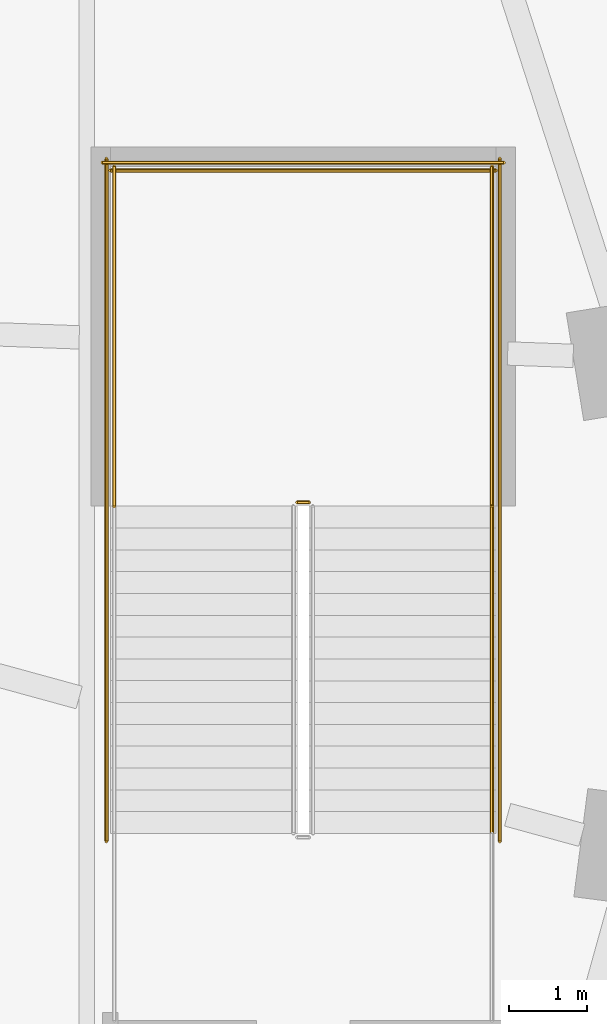
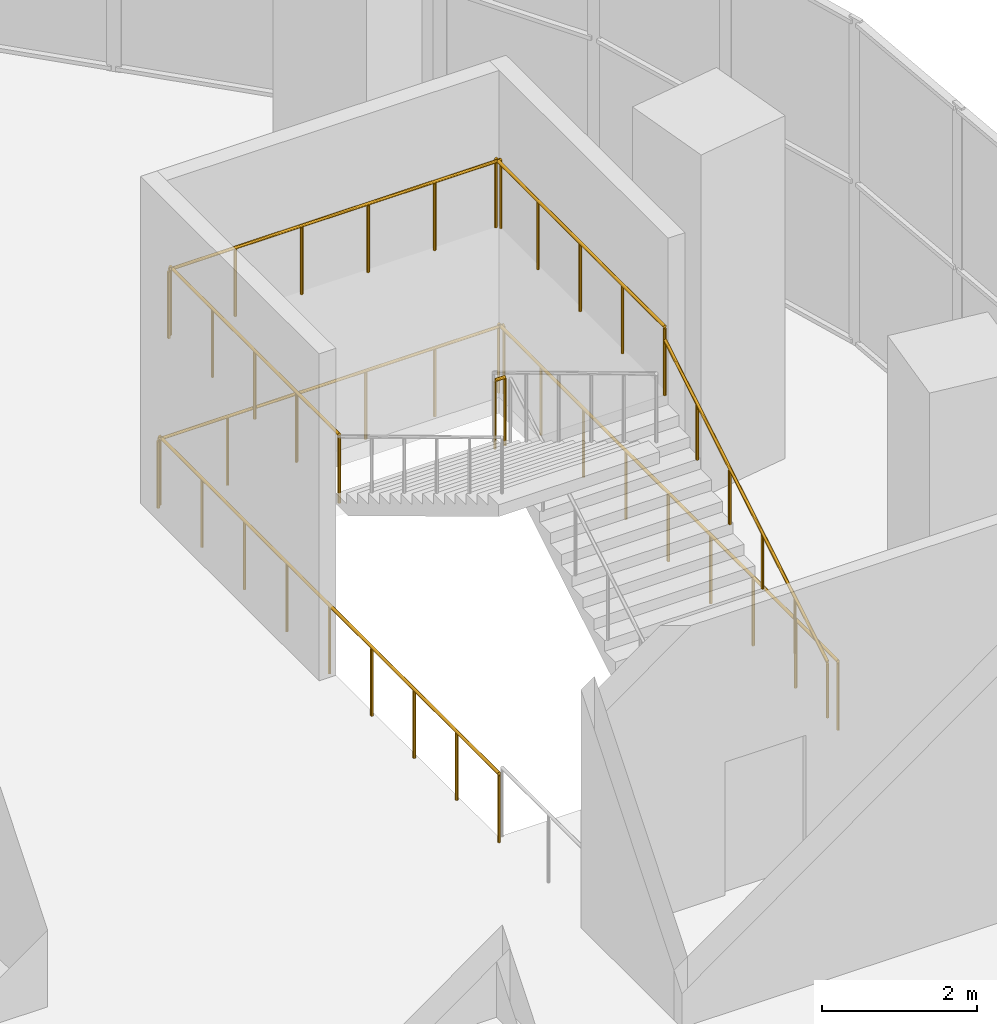
# One storey, part 19 of 20: 8 railings.
"""IFC4 building model written with IfcOpenShell, lengths in metres."""

from ifc_helpers import new_model, si_unit, direction, frame, origin, origin_2d, place, context, subcontext, project, spatial, circle, extrude, material, type_object, element, save


model = new_model("IFC4")

# Units and contexts
model_context = context("Model", 3, precision=1e-05, world=origin(), true_north=direction((0.0, 1.0)))
body_context = subcontext(model_context, "Body", "Model", "MODEL_VIEW")
ifc_project = project(units=[si_unit("LENGTHUNIT", "METRE"), si_unit("AREAUNIT", "SQUARE_METRE"), si_unit("VOLUMEUNIT", "CUBIC_METRE"), si_unit("PLANEANGLEUNIT", "RADIAN"), si_unit("MASSUNIT", "GRAM", prefix="KILO")], contexts=[model_context])

# Site, building, storey
site_placement = place(None, origin())
site = spatial("IfcSite", under=ifc_project, at=site_placement, CompositionType="ELEMENT")
building_placement = place(site_placement, origin())
building = spatial("IfcBuilding", under=site, at=building_placement, Name="Rubra Terraces Tower", CompositionType="ELEMENT")
storey_placement = place(building_placement, frame((0.0, 0.0, 22.800048828125)))
storey = spatial("IfcBuildingStorey", under=building, at=storey_placement, Name="L03", CompositionType="ELEMENT", Elevation=22.800048828125)

# Railings
ifc_material = material(Name="Stainless steel", Category="steel")
railing_type_1 = type_object("IfcRailingType", Name="Public stair guard 1100", PredefinedType="GUARDRAIL", material=ifc_material)
railing_1_placement = place(storey_placement, frame((22.5, 1.64990234375, 2.699951171875)))
element("IfcRailing", 1, at=railing_1_placement, inside=storey, type_object=railing_type_1, Name="L03 PS2 stair guard 2", PredefinedType="GUARDRAIL", context=body_context, shape_type="SweptSolid", body=[
    extrude(circle(Radius=0.02392578125, at=origin_2d()), frame((0.0, 0.0, 1.076171875), z_axis=(-1.0, 0.0, 0.0), x_axis=(0.0, -1.0, 0.0)), (0.0, 0.0, 1.0), 0.14990234375),
    extrude(circle(Radius=0.02099609375, at=origin_2d()), origin(), (0.0, 0.0, 1.0), 1.052001953125),
    extrude(circle(Radius=0.02099609375, at=origin_2d()), frame((-0.14990234375, 0.0, 0.0)), (0.0, 0.0, 1.0), 1.052001953125),
])
for number, where, name in (
    (2, (24.85009765625, 1.60009765625, 2.699951171875), "L03 PS2 stair guard 3"),
    (3, (20.0, 1.60009765625, 2.699951171875), "L03 PS2 stair guard 4"),
):
    element("IfcRailing", number, at=place(storey_placement, frame(where)), inside=storey, type_object=railing_type_1, Name=name, PredefinedType="GUARDRAIL", context=body_context, shape_type="SweptSolid", body=[
        extrude(circle(Radius=0.02392578125, at=origin_2d()), frame((0.0, 0.0, 1.076171875), z_axis=(0.0, 1.0, 0.0), x_axis=(-1.0, 0.0, 0.0)), (0.0, 0.0, 1.0), 4.35986328125),
        extrude(circle(Radius=0.02099609375, at=origin_2d()), origin(), (0.0, 0.0, 1.0), 1.052001953125),
        extrude(circle(Radius=0.02099609375, at=origin_2d()), frame((0.0, 1.08984375, 0.0)), (0.0, 0.0, 1.0), 1.052001953125),
        extrude(circle(Radius=0.02099609375, at=origin_2d()), frame((0.0, 2.179931640625, 0.0)), (0.0, 0.0, 1.0), 1.052001953125),
        extrude(circle(Radius=0.02099609375, at=origin_2d()), frame((0.0, 3.27001953125, 0.0)), (0.0, 0.0, 1.0), 1.052001953125),
        extrude(circle(Radius=0.02099609375, at=origin_2d()), frame((0.0, 4.35986328125, 0.0)), (0.0, 0.0, 1.0), 1.052001953125),
    ])
railing_2_placement = place(storey_placement, frame((24.89990234375, 5.909912109375, 2.699951171875)))
element("IfcRailing", 4, at=railing_2_placement, inside=storey, type_object=railing_type_1, Name="L03 PS2 stair guard 5", PredefinedType="GUARDRAIL", context=body_context, shape_type="SweptSolid", body=[
    extrude(circle(Radius=0.02392578125, at=origin_2d()), frame((0.0, 0.0, 1.076171875), z_axis=(-1.0, 0.0, 0.0), x_axis=(0.0, -1.0, 0.0)), (0.0, 0.0, 1.0), 4.949951171875),
    extrude(circle(Radius=0.02099609375, at=origin_2d()), origin(), (0.0, 0.0, 1.0), 1.052001953125),
    extrude(circle(Radius=0.02099609375, at=origin_2d()), frame((-0.989990234375, 0.0, 0.0)), (0.0, 0.0, 1.0), 1.052001953125),
    extrude(circle(Radius=0.02099609375, at=origin_2d()), frame((-1.97998046875, 0.0, 0.0)), (0.0, 0.0, 1.0), 1.052001953125),
    extrude(circle(Radius=0.02099609375, at=origin_2d()), frame((-2.969970703125, 0.0, 0.0)), (0.0, 0.0, 1.0), 1.052001953125),
    extrude(circle(Radius=0.02099609375, at=origin_2d()), frame((-3.9599609375, 0.0, 0.0)), (0.0, 0.0, 1.0), 1.052001953125),
    extrude(circle(Radius=0.02099609375, at=origin_2d()), frame((-4.949951171875, 0.0, 0.0)), (0.0, 0.0, 1.0), 1.052001953125),
])
for number, where, name in (
    (5, (24.949951171875, -2.699951171875, 0.0), "L03 PS2 stair guard 10"),
    (6, (19.89990234375, -2.699951171875, 0.0), "L03 PS2 stair guard 11"),
):
    element("IfcRailing", number, at=place(storey_placement, frame(where)), inside=storey, type_object=railing_type_1, Name=name, PredefinedType="GUARDRAIL", context=body_context, shape_type="SweptSolid", body=[
        extrude(circle(Radius=0.02392578125, at=origin_2d()), frame((0.0, 0.0, 1.076171875), z_axis=(0.0, 1.0, 0.0), x_axis=(-1.0, 0.0, 0.0)), (0.0, 0.0, 1.0), 8.760009765625),
        extrude(circle(Radius=0.02099609375, at=origin_2d()), origin(), (0.0, 0.0, 1.0), 1.052001953125),
        extrude(circle(Radius=0.02099609375, at=origin_2d()), frame((0.0, 1.094970703125, 0.0)), (0.0, 0.0, 1.0), 1.052001953125),
        extrude(circle(Radius=0.02099609375, at=origin_2d()), frame((0.0, 2.18994140625, 0.0)), (0.0, 0.0, 1.0), 1.052001953125),
        extrude(circle(Radius=0.02099609375, at=origin_2d()), frame((0.0, 3.284912109375, 0.0)), (0.0, 0.0, 1.0), 1.052001953125),
        extrude(circle(Radius=0.02099609375, at=origin_2d()), frame((0.0, 4.3798828125, 0.0)), (0.0, 0.0, 1.0), 1.052001953125),
        extrude(circle(Radius=0.02099609375, at=origin_2d()), frame((0.0, 5.47509765625, 0.0)), (0.0, 0.0, 1.0), 1.052001953125),
        extrude(circle(Radius=0.02099609375, at=origin_2d()), frame((0.0, 6.570068359375, 0.0)), (0.0, 0.0, 1.0), 1.052001953125),
        extrude(circle(Radius=0.02099609375, at=origin_2d()), frame((0.0, 7.6650390625, 0.0)), (0.0, 0.0, 1.0), 1.052001953125),
        extrude(circle(Radius=0.02099609375, at=origin_2d()), frame((0.0, 8.760009765625, 0.0)), (0.0, 0.0, 1.0), 1.052001953125),
    ])
railing_3_placement = place(storey_placement, frame((25.0, 6.010009765625, 0.0)))
element("IfcRailing", 7, at=railing_3_placement, inside=storey, type_object=railing_type_1, Name="L03 PS2 stair guard 12", PredefinedType="GUARDRAIL", context=body_context, shape_type="SweptSolid", body=[
    extrude(circle(Radius=0.02392578125, at=origin_2d()), frame((0.0, 0.0, 1.076171875), z_axis=(-1.0, 0.0, 0.0), x_axis=(0.0, -1.0, 0.0)), (0.0, 0.0, 1.0), 5.14990234375),
    extrude(circle(Radius=0.02099609375, at=origin_2d()), origin(), (0.0, 0.0, 1.0), 1.052001953125),
    extrude(circle(Radius=0.02099609375, at=origin_2d()), frame((-1.030029296875, 0.0, 0.0)), (0.0, 0.0, 1.0), 1.052001953125),
    extrude(circle(Radius=0.02099609375, at=origin_2d()), frame((-2.06005859375, 0.0, 0.0)), (0.0, 0.0, 1.0), 1.052001953125),
    extrude(circle(Radius=0.02099609375, at=origin_2d()), frame((-3.08984375, 0.0, 0.0)), (0.0, 0.0, 1.0), 1.052001953125),
    extrude(circle(Radius=0.02099609375, at=origin_2d()), frame((-4.119873046875, 0.0, 0.0)), (0.0, 0.0, 1.0), 1.052001953125),
    extrude(circle(Radius=0.02099609375, at=origin_2d()), frame((-5.14990234375, 0.0, 0.0)), (0.0, 0.0, 1.0), 1.052001953125),
])
railing_type_2 = type_object("IfcRailingType", Name="Public stair handrail 900", PredefinedType="HANDRAIL", material=ifc_material)
railing_4_placement = place(storey_placement, frame((24.85009765625, -2.60009765625, 0.168701171875)))
element("IfcRailing", 8, at=railing_4_placement, inside=storey, type_object=railing_type_2, Name="L03 PS2 stair handrail 1", PredefinedType="HANDRAIL", context=body_context, shape_type="SweptSolid", body=[
    extrude(circle(Radius=0.02392578125, at=origin_2d()), frame((0.0, 0.0, 0.8759765625), z_axis=(0.0, 0.856489757249, 0.516164020179), x_axis=(-1.0, 0.0, 0.0)), (0.0, 0.0, 1.0), 4.904052734375),
    extrude(circle(Radius=0.02099609375, at=origin_2d()), origin(), (0.0, 0.0, 1.0), 0.851806640625),
    extrude(circle(Radius=0.02099609375, at=origin_2d()), frame((0.0, 0.840087890625, 0.50634765625)), (0.0, 0.0, 1.0), 0.851806640625),
    extrude(circle(Radius=0.02099609375, at=origin_2d()), frame((0.0, 1.68017578125, 1.012451171875)), (0.0, 0.0, 1.0), 0.851806640625),
    extrude(circle(Radius=0.02099609375, at=origin_2d()), frame((0.0, 2.52001953125, 1.518798828125)), (0.0, 0.0, 1.0), 0.851806640625),
    extrude(circle(Radius=0.02099609375, at=origin_2d()), frame((0.0, 3.360107421875, 2.02490234375)), (0.0, 0.0, 1.0), 0.851806640625),
    extrude(circle(Radius=0.02099609375, at=origin_2d()), frame((0.0, 4.2001953125, 2.53125)), (0.0, 0.0, 1.0), 0.851806640625),
])

save(model, "model.ifc")
